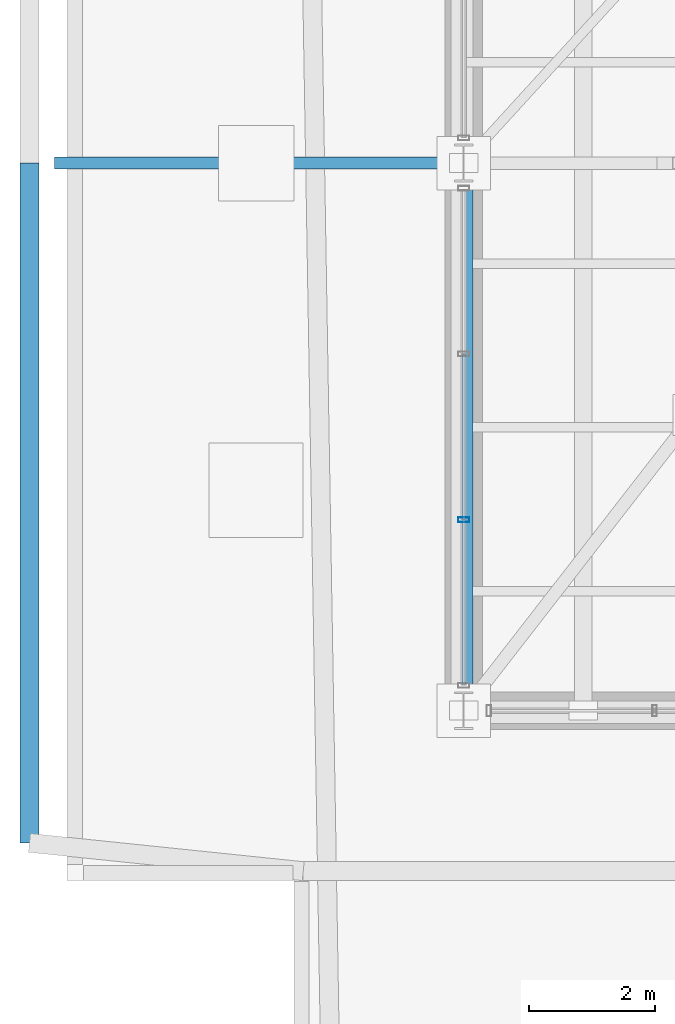
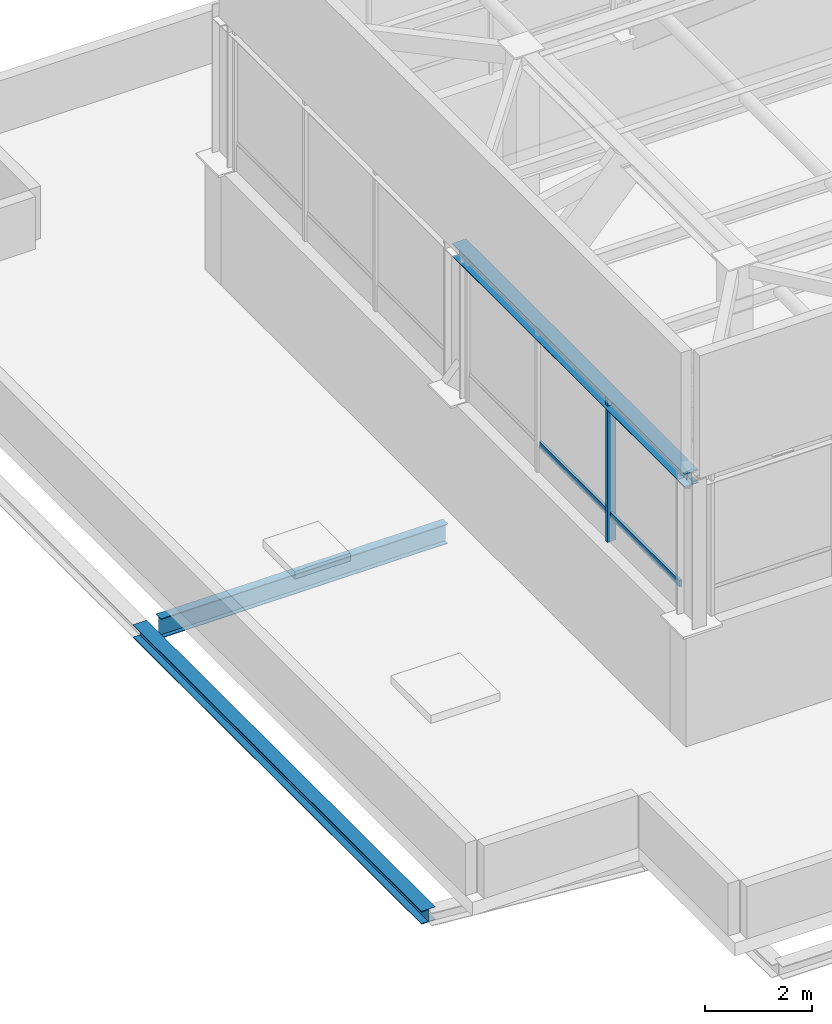
# One storey, part 5 of 22: 3 beams, 3 members, 1 element without a shape of its own.
"""IFC4 building model written with IfcOpenShell, lengths in metres."""

from ifc_helpers import new_model, si_unit, direction, frame, origin, origin_2d, place, context, subcontext, project, spatial, hollow_rectangle, i_section, extrude, material, layer, layer_set, material_profile, profile_set, type_object, element, aggregate, save


model = new_model("IFC4")

# Units and contexts
model_context = context("Model", 3, precision=1e-05, world=origin(), true_north=direction((0.0, 1.0)))
body_context = subcontext(model_context, "Body", "Model", "MODEL_VIEW")
ifc_project = project(units=[si_unit("LENGTHUNIT", "METRE"), si_unit("AREAUNIT", "SQUARE_METRE"), si_unit("VOLUMEUNIT", "CUBIC_METRE"), si_unit("PLANEANGLEUNIT", "RADIAN"), si_unit("MASSUNIT", "GRAM", prefix="KILO")], contexts=[model_context])

# Site, building, storey
site_placement = place(None, origin())
site = spatial("IfcSite", under=ifc_project, at=site_placement, CompositionType="ELEMENT")
building_placement = place(site_placement, origin())
building = spatial("IfcBuilding", under=site, at=building_placement, Name="Belovzor Exchange Tower", CompositionType="ELEMENT")
storey_placement = place(building_placement, frame((0.0, 0.0, 378.60009765625)))
storey = spatial("IfcBuildingStorey", under=building, at=storey_placement, Name="RF", CompositionType="ELEMENT", Elevation=378.60009765625)

# Beams
ifc_material_1 = material(Name="Steel S355", Category="steel")
ifc_material_profile_1 = material_profile(ifc_material_1, i_section(OverallWidth=0.300048828125, OverallDepth=0.300048828125, WebThickness=0.010986328125, FlangeThickness=0.01904296875, at=origin_2d()))
ifc_profile_set_1 = profile_set([ifc_material_profile_1], Name="Steel S355")
beam_type_1 = type_object("IfcBeamType", Name="Crown Plant Primary Beam HEB 300", PredefinedType="BEAM", material=ifc_profile_set_1)
beam_1_placement = place(storey_placement, frame((13.199951171875, 28.800048828125, -0.4501953125), z_axis=(0.0, -1.0, 0.0), x_axis=(1.0, 0.0, 0.0)))
element("IfcBeam", 1, at=beam_1_placement, inside=storey, type_object=beam_type_1, Name="FG-CR Crown Plant Primary Beam HEB 300", PredefinedType="BEAM", context=body_context, shape_type="SweptSolid", body=[
    extrude(i_section(OverallWidth=0.300048828125, OverallDepth=0.300048828125, WebThickness=0.010986328125, FlangeThickness=0.01904296875, at=origin_2d()), origin(), (0.0, 0.0, 1.0), 10.800048828125),
])
ifc_material_2 = material(Name="Steel S355", Category="steel")
ifc_material_profile_2 = material_profile(ifc_material_2, i_section(OverallWidth=0.300048828125, OverallDepth=0.300048828125, WebThickness=0.008544921875, FlangeThickness=0.013916015625, at=origin_2d()))
ifc_profile_set_2 = profile_set([ifc_material_profile_2], Name="Steel S355")
beam_type_2 = type_object("IfcBeamType", Name="Crown Ring & Trim Beam HEA 300", PredefinedType="BEAM", material=ifc_profile_set_2)
beam_2_placement = place(storey_placement, frame((20.10009765625, 28.800048828125, 5.849853515625), z_axis=(0.0, -1.0, 0.0), x_axis=(1.0, 0.0, 0.0)))
element("IfcBeam", 2, at=beam_2_placement, inside=storey, type_object=beam_type_2, Name="CB-CR Crown Ring & Trim Beam HEA 300", PredefinedType="BEAM", context=body_context, shape_type="SweptSolid", body=[
    extrude(i_section(OverallWidth=0.300048828125, OverallDepth=0.300048828125, WebThickness=0.008544921875, FlangeThickness=0.013916015625, at=origin_2d()), origin(), (0.0, 0.0, 1.0), 8.699951171875),
])

# Curtain wall, members
ifc_material_3 = material(Name="Anodised Aluminium Framing", Category="aluminium")
ifc_layer = layer(ifc_material_3, 0.169921875)
ifc_layer_set = layer_set([ifc_layer], Name="Anodised Aluminium Framing")
curtain_wall_type = type_object("IfcCurtainWallType", Name="Stepped Crown Faceted Lantern Curtain Wall", PredefinedType="NOTDEFINED", material=ifc_layer_set)
curtain_wall_placement = place(storey_placement, origin())
curtain_wall = element("IfcCurtainWall", 3, at=curtain_wall_placement, inside=storey, type_object=curtain_wall_type, Name="CW6 Stepped Crown Faceted Lantern Curtain Wall RF", PredefinedType="NOTDEFINED")
ifc_material_4 = material(Name="Steel S355", Category="steel")
ifc_material_profile_3 = material_profile(ifc_material_4, hollow_rectangle(XDim=0.074951171875, YDim=0.179931640625, WallThickness=0.0048828125, at=origin_2d()))
ifc_profile_set_3 = profile_set([ifc_material_profile_3], Name="Steel S355")
member_type_1 = type_object("IfcMemberType", Name="Thermally Broken Curtain Wall Mullion 180x75", PredefinedType="MULLION", material=ifc_profile_set_3)
member_1_placement = place(storey_placement, frame((20.10009765625, 23.133056640625, 2.599853515625), z_axis=(0.0, 0.0, 1.0), x_axis=(0.0, 1.0, 0.0)))
member_1 = element("IfcMember", 4, at=member_1_placement, type_object=member_type_1, Name="CW-M180 Curtain Wall Mullion 2", PredefinedType="MULLION", context=body_context, shape_type="SweptSolid", body=[
    extrude(hollow_rectangle(XDim=0.074951171875, YDim=0.179931640625, WallThickness=0.0048828125, at=origin_2d()), origin(), (0.0, 0.0, 1.0), 3.35009765625),
])
ifc_material_5 = material(Name="Steel S355", Category="steel")
ifc_material_profile_4 = material_profile(ifc_material_5, hollow_rectangle(XDim=0.06005859375, YDim=0.14990234375, WallThickness=0.00390625, at=origin_2d()))
ifc_profile_set_4 = profile_set([ifc_material_profile_4], Name="Steel S355")
member_type_2 = type_object("IfcMemberType", Name="Thermally Broken Curtain Wall Transom 150x60", PredefinedType="USERDEFINED", material=ifc_profile_set_4)
member_2_placement = place(storey_placement, frame((20.10009765625, 20.508056640625, 3.202880859375), z_axis=(0.0, 1.0, 0.0), x_axis=(-1.0, 0.0, 0.0)))
member_2 = element("IfcMember", 5, at=member_2_placement, type_object=member_type_2, Name="CW-T150 Curtain Wall Transom 1", ObjectType="TRANSOM", PredefinedType="USERDEFINED", context=body_context, shape_type="SweptSolid", body=[
    extrude(hollow_rectangle(XDim=0.06005859375, YDim=0.14990234375, WallThickness=0.00390625, at=origin_2d()), origin(), (0.0, 0.0, 1.0), 2.616943359375),
])
member_3_placement = place(storey_placement, frame((20.10009765625, 23.14111328125, 3.202880859375), z_axis=(0.0, 1.0, 0.0), x_axis=(-1.0, 0.0, 0.0)))
member_3 = element("IfcMember", 6, at=member_3_placement, type_object=member_type_2, Name="CW-T150 Curtain Wall Transom 2", ObjectType="TRANSOM", PredefinedType="USERDEFINED", context=body_context, shape_type="SweptSolid", body=[
    extrude(hollow_rectangle(XDim=0.06005859375, YDim=0.14990234375, WallThickness=0.00390625, at=origin_2d()), origin(), (0.0, 0.0, 1.0), 2.617919921875),
])
aggregate(curtain_wall, [member_1, member_2, member_3])

# Beam
ifc_material_6 = material(Name="Steel S355", Category="steel")
ifc_material_profile_5 = material_profile(ifc_material_6, i_section(OverallWidth=0.18994140625, OverallDepth=0.449951171875, WebThickness=0.009521484375, FlangeThickness=0.0146484375, at=origin_2d()))
ifc_profile_set_5 = profile_set([ifc_material_profile_5], Name="Steel S355")
beam_type_3 = type_object("IfcBeamType", Name="Zone 2-4 Radial Composite Floor Beam IPE 450", PredefinedType="BEAM", material=ifc_profile_set_5)
beam_3_placement = place(storey_placement, frame((19.800048828125, 28.800048828125, -0.525146484375), z_axis=(-1.0, 0.0, 0.0), x_axis=(0.0, -1.0, 0.0)))
element("IfcBeam", 7, at=beam_3_placement, inside=storey, type_object=beam_type_3, Name="FB-450 Zone 2-4 Radial Composite Floor Beam IPE 450", PredefinedType="BEAM", context=body_context, shape_type="SweptSolid", body=[
    extrude(i_section(OverallWidth=0.18994140625, OverallDepth=0.449951171875, WebThickness=0.009521484375, FlangeThickness=0.0146484375, at=origin_2d()), origin(), (0.0, 0.0, 1.0), 6.199951171875),
])

save(model, "model.ifc")
